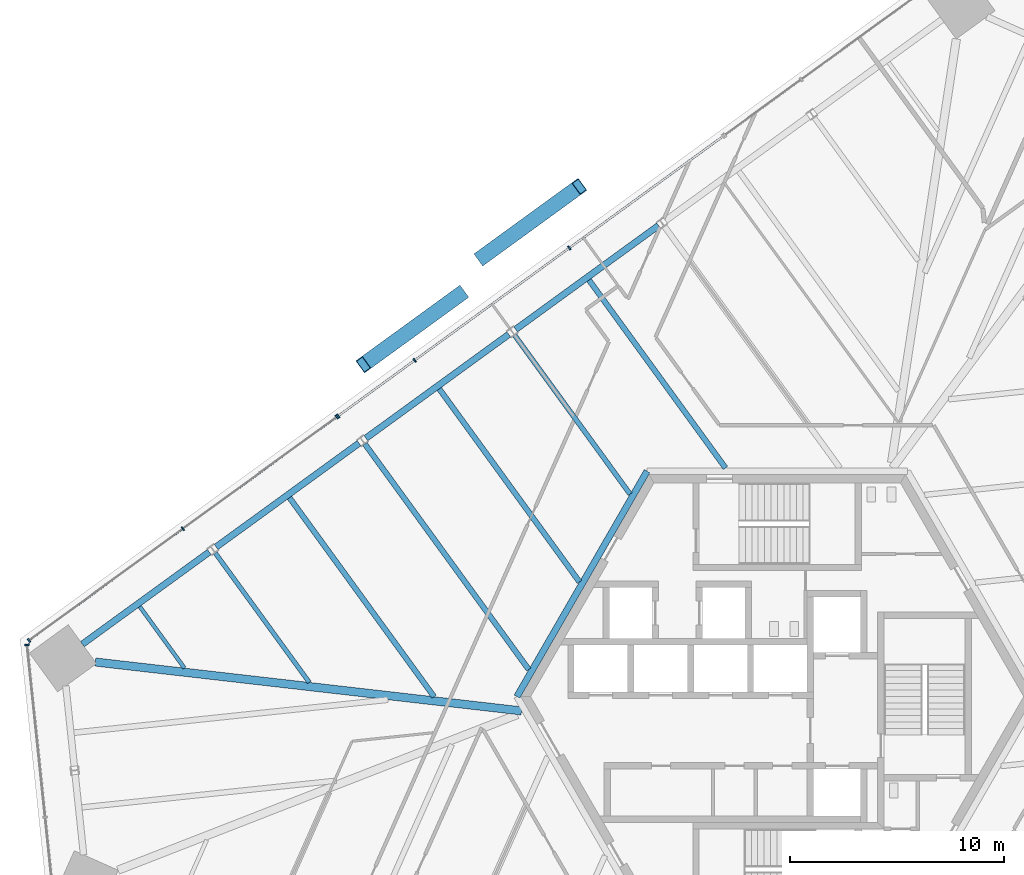
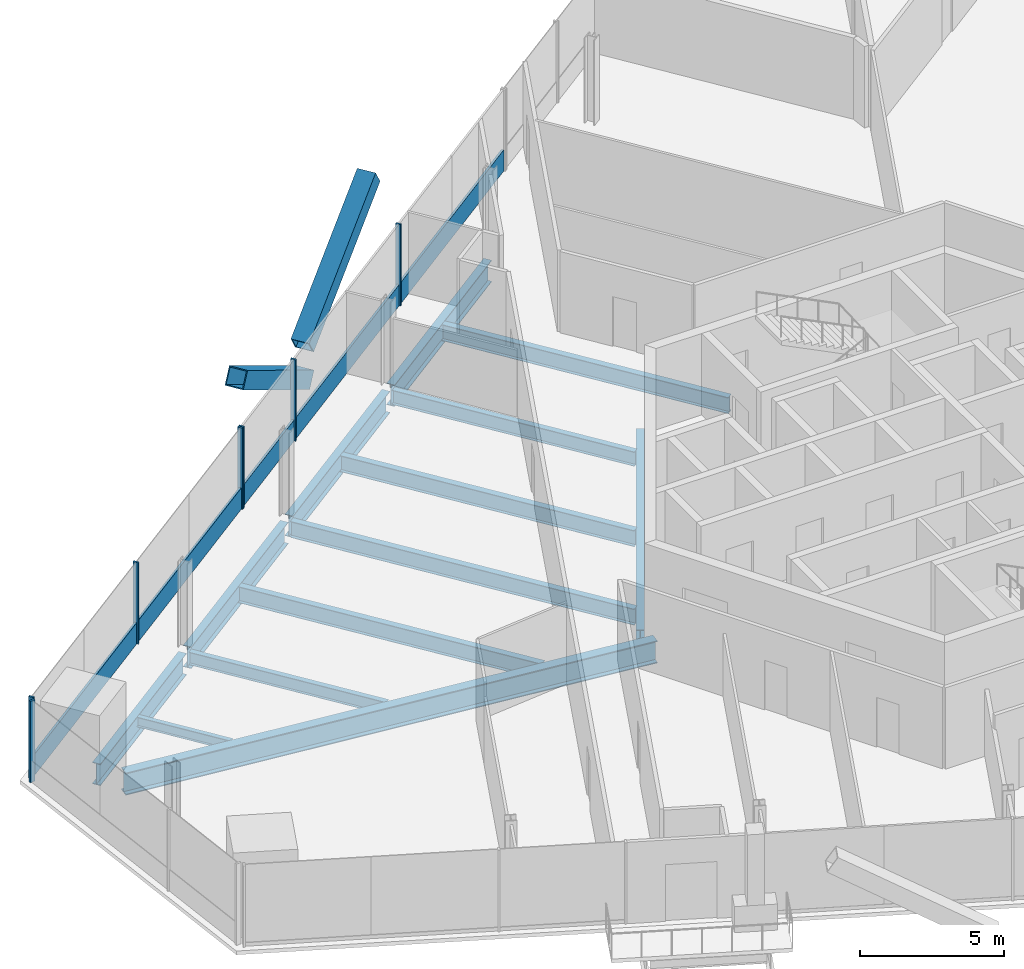
# One storey, part 7 of 19: 14 members, 13 beams, 3 elements without a shape of their own.
"""IFC4 building model written with IfcOpenShell, lengths in metres."""

from ifc_helpers import new_model, si_unit, direction, frame, origin, origin_2d, place, context, subcontext, project, spatial, rectangle, hollow_rectangle, i_section, extrude, source, transform, mapped, material, material_profile, profile_set, type_object, element, aggregate, save


model = new_model("IFC4")

# Units and contexts
model_context = context("Model", 3, precision=1e-05, world=origin(), true_north=direction((0.0, 1.0)))
body_context = subcontext(model_context, "Body", "Model", "MODEL_VIEW")
ifc_project = project(units=[si_unit("LENGTHUNIT", "METRE"), si_unit("AREAUNIT", "SQUARE_METRE"), si_unit("VOLUMEUNIT", "CUBIC_METRE"), si_unit("PLANEANGLEUNIT", "RADIAN"), si_unit("MASSUNIT", "GRAM", prefix="KILO")], contexts=[model_context])

# Site, building, storey
site_placement = place(None, origin())
site = spatial("IfcSite", under=ifc_project, at=site_placement, CompositionType="ELEMENT")
building_placement = place(site_placement, origin())
building = spatial("IfcBuilding", under=site, at=building_placement, Name="Triune Harvest Tower", CompositionType="ELEMENT")
storey_placement = place(building_placement, frame((0.0, 0.0, 76.5)))
storey = spatial("IfcBuildingStorey", under=building, at=storey_placement, Name="L18", CompositionType="ELEMENT", Elevation=76.5)

# Beams
ifc_material_1 = material(Name="Steel ASTM A992 Gr 50", Category="steel")
ifc_material_profile_1 = material_profile(ifc_material_1, i_section(OverallWidth=0.3046875, OverallDepth=0.914306640625, WebThickness=0.0166015625, FlangeThickness=0.02587890625, at=origin_2d()), Name="W36x160")
ifc_profile_set_1 = profile_set([ifc_material_profile_1], Name="Steel ASTM A992 Gr 50")
beam_type_1 = type_object("IfcBeamType", Name="CG-1 Core ring girder W36x160", PredefinedType="BEAM", material=ifc_profile_set_1)
shared_shape_1 = source(origin(), body_context, "Body", "SweptSolid", [
    extrude(i_section(OverallWidth=0.3046875, OverallDepth=0.914306640625, WebThickness=0.0166015625, FlangeThickness=0.02587890625, at=origin_2d()), origin(), (0.0, 0.0, 1.0), 12.176025390625),
])
beam_1_placement = place(storey_placement, frame((-6.087890625, 10.544677734375, -0.6171875), z_axis=(-0.5000099932, -0.866019634131, 0.0), x_axis=(0.866019634131, -0.5000099932, 0.0)))
element("IfcBeam", 1, at=beam_1_placement, inside=storey, type_object=beam_type_1, Name="beam/L18/CG3", PredefinedType="BEAM", context=body_context, shape_type="MappedRepresentation", body=[
    mapped(shared_shape_1, transform((0.0, 0.0, 0.0), scale=1.0)),
])
ifc_material_2 = material(Name="Steel ASTM A992 Gr 50", Category="steel")
ifc_material_profile_2 = material_profile(ifc_material_2, i_section(OverallWidth=0.3046875, OverallDepth=0.914306640625, WebThickness=0.0166015625, FlangeThickness=0.02587890625, at=origin_2d()), Name="W36x160")
ifc_profile_set_2 = profile_set([ifc_material_profile_2], Name="Steel ASTM A992 Gr 50")
beam_type_2 = type_object("IfcBeamType", Name="SB-1 Spandrel beam W36x160", PredefinedType="SPANDREL", material=ifc_profile_set_2)
shared_shape_2 = source(origin(), body_context, "Body", "SweptSolid", [
    extrude(i_section(OverallWidth=0.3046875, OverallDepth=0.914306640625, WebThickness=0.0166015625, FlangeThickness=0.02587890625, at=origin_2d()), origin(), (0.0, 0.0, 1.0), 7.337890625),
])
beam_2_placement = place(storey_placement, frame((-26.574951171875, 6.763916015625, -0.6171875), z_axis=(-0.80902661548, -0.58777200975, 0.0), x_axis=(0.58777200975, -0.80902661548, 0.0)))
element("IfcBeam", 2, at=beam_2_placement, inside=storey, type_object=beam_type_2, Name="beam/L18/SB14", PredefinedType="SPANDREL", context=body_context, shape_type="MappedRepresentation", body=[
    mapped(shared_shape_2, transform((0.0, 0.0, 0.0), scale=1.0)),
])
shared_shape_3 = source(origin(), body_context, "Body", "SweptSolid", [
    extrude(i_section(OverallWidth=0.3046875, OverallDepth=0.914306640625, WebThickness=0.0166015625, FlangeThickness=0.02587890625, at=origin_2d()), origin(), (0.0, 0.0, 1.0), 8.263427734375),
])
for number, where, z_axis, x_axis, name in (
    (3, (-5.55126953125, 22.03857421875, -0.6171875), (-0.809015786763, -0.587786914424, 0.0), (0.587786914424, -0.809015786763, 0.0), "beam/L18/SB11"),
    (4, (-12.55908203125, 16.947021484375, -0.6171875), (-0.809015786763, -0.587786914424, 0.0), (0.587786914424, -0.809015786763, 0.0), "beam/L18/SB12"),
    (5, (-19.56689453125, 11.85546875, -0.6171875), (-0.809015786763, -0.587786914424, 0.0), (0.587786914424, -0.809015786763, 0.0), "beam/L18/SB13"),
):
    element("IfcBeam", number, at=place(storey_placement, frame(where, z_axis=z_axis, x_axis=x_axis)), inside=storey, type_object=beam_type_2, Name=name, PredefinedType="SPANDREL", context=body_context, shape_type="MappedRepresentation", body=[
        mapped(shared_shape_3, transform((0.0, 0.0, 0.0), scale=1.0)),
    ])
ifc_material_3 = material(Name="Steel ASTM A992 Gr 50", Category="steel")
ifc_material_profile_3 = material_profile(ifc_material_3, i_section(OverallWidth=0.383544921875, OverallDepth=0.9423828125, WebThickness=0.022216796875, FlangeThickness=0.039794921875, at=origin_2d()), Name="W36x232")
ifc_profile_set_3 = profile_set([ifc_material_profile_3], Name="Steel ASTM A992 Gr 50")
beam_type_3 = type_object("IfcBeamType", Name="HG-1 Hip girder W36x232", PredefinedType="BEAM", material=ifc_profile_set_3)
shared_shape_4 = source(origin(), body_context, "Body", "SweptSolid", [
    extrude(i_section(OverallWidth=0.383544921875, OverallDepth=0.9423828125, WebThickness=0.022216796875, FlangeThickness=0.039794921875, at=origin_2d()), origin(), (0.0, 0.0, 1.0), 20.070556640625),
])
beam_3_placement = place(storey_placement, frame((-31.904541015625, 1.61572265625, -0.631103515625), z_axis=(0.993487545287, -0.113940762503, 0.0), x_axis=(0.113940762503, 0.993487545287, 0.0)))
element("IfcBeam", 6, at=beam_3_placement, inside=storey, type_object=beam_type_3, Name="beam/L18/HG5", PredefinedType="BEAM", context=body_context, shape_type="MappedRepresentation", body=[
    mapped(shared_shape_4, transform((0.0, 0.0, 0.0), scale=1.0)),
])
ifc_material_4 = material(Name="Steel ASTM A992 Gr 50", Category="steel")
ifc_material_profile_4 = material_profile(ifc_material_4, i_section(OverallWidth=0.22900390625, OverallDepth=0.612060546875, WebThickness=0.011962890625, FlangeThickness=0.01953125, at=origin_2d()), Name="W24x84")
ifc_profile_set_4 = profile_set([ifc_material_profile_4], Name="Steel ASTM A992 Gr 50")
beam_type_4 = type_object("IfcBeamType", Name="JT-3 Floor joist W24x84", PredefinedType="JOIST", material=ifc_profile_set_4)
shared_shape_5 = source(origin(), body_context, "Body", "SweptSolid", [
    extrude(i_section(OverallWidth=0.22900390625, OverallDepth=0.612060546875, WebThickness=0.011962890625, FlangeThickness=0.01953125, at=origin_2d()), origin(), (0.0, 0.0, 1.0), 9.186279296875),
])
beam_4_placement = place(storey_placement, frame((-12.2822265625, 16.905029296875, -0.466064453125), z_axis=(0.58779079947, -0.809012964085, 0.0), x_axis=(0.809012964085, 0.58779079947, 0.0)))
element("IfcBeam", 7, at=beam_4_placement, inside=storey, type_object=beam_type_4, Name="beam/L18/JT19", PredefinedType="JOIST", context=body_context, shape_type="MappedRepresentation", body=[
    mapped(shared_shape_5, transform((0.0, 0.0, 0.0), scale=1.0)),
])
ifc_material_5 = material(Name="Steel ASTM A992 Gr 50", Category="steel")
ifc_material_profile_5 = material_profile(ifc_material_5, i_section(OverallWidth=0.253662109375, OverallDepth=0.683349609375, WebThickness=0.012451171875, FlangeThickness=0.01904296875, at=origin_2d()), Name="W27x94")
ifc_profile_set_5 = profile_set([ifc_material_profile_5], Name="Steel ASTM A992 Gr 50")
beam_type_5 = type_object("IfcBeamType", Name="JT-4 Floor joist W27x94", PredefinedType="JOIST", material=ifc_profile_set_5)
shared_shape_6 = source(origin(), body_context, "Body", "SweptSolid", [
    extrude(i_section(OverallWidth=0.253662109375, OverallDepth=0.683349609375, WebThickness=0.012451171875, FlangeThickness=0.01904296875, at=origin_2d()), origin(), (0.0, 0.0, 1.0), 11.158935546875),
])
beam_5_placement = place(storey_placement, frame((-15.812255859375, 14.395263671875, -0.501708984375), z_axis=(0.58778396925, -0.809017926558, 0.0), x_axis=(0.809017926558, 0.58778396925, 0.0)))
element("IfcBeam", 8, at=beam_5_placement, inside=storey, type_object=beam_type_5, Name="beam/L18/JT20", PredefinedType="JOIST", context=body_context, shape_type="MappedRepresentation", body=[
    mapped(shared_shape_6, transform((0.0, 0.0, 0.0), scale=1.0)),
])
shared_shape_7 = source(origin(), body_context, "Body", "SweptSolid", [
    extrude(i_section(OverallWidth=0.253662109375, OverallDepth=0.683349609375, WebThickness=0.012451171875, FlangeThickness=0.01904296875, at=origin_2d()), origin(), (0.0, 0.0, 1.0), 10.86474609375),
])
beam_6_placement = place(storey_placement, frame((-8.804443359375, 19.48681640625, -0.501708984375), z_axis=(0.587789508047, -0.809013902371, 0.0), x_axis=(0.809013902371, 0.587789508047, 0.0)))
element("IfcBeam", 9, at=beam_6_placement, inside=storey, type_object=beam_type_5, Name="beam/L18/JT18", PredefinedType="JOIST", context=body_context, shape_type="MappedRepresentation", body=[
    mapped(shared_shape_7, transform((0.0, 0.0, 0.0), scale=1.0)),
])
shared_shape_8 = source(origin(), body_context, "Body", "SweptSolid", [
    extrude(i_section(OverallWidth=0.253662109375, OverallDepth=0.683349609375, WebThickness=0.012451171875, FlangeThickness=0.01904296875, at=origin_2d()), origin(), (0.0, 0.0, 1.0), 13.042724609375),
])
beam_7_placement = place(storey_placement, frame((-19.2900390625, 11.8134765625, -0.501708984375), z_axis=(0.587795444635, -0.809009589107, 0.0), x_axis=(0.809009589107, 0.587795444635, 0.0)))
element("IfcBeam", 10, at=beam_7_placement, inside=storey, type_object=beam_type_5, Name="beam/L18/JT21", PredefinedType="JOIST", context=body_context, shape_type="MappedRepresentation", body=[
    mapped(shared_shape_8, transform((0.0, 0.0, 0.0), scale=1.0)),
])
shared_shape_9 = source(origin(), body_context, "Body", "SweptSolid", [
    extrude(i_section(OverallWidth=0.253662109375, OverallDepth=0.683349609375, WebThickness=0.012451171875, FlangeThickness=0.01904296875, at=origin_2d()), origin(), (0.0, 0.0, 1.0), 11.511474609375),
])
beam_8_placement = place(storey_placement, frame((-22.820068359375, 9.3037109375, -0.501708984375), z_axis=(0.587775656534, -0.809023966015, 0.0), x_axis=(0.809023966015, 0.587775656534, 0.0)))
element("IfcBeam", 11, at=beam_8_placement, inside=storey, type_object=beam_type_5, Name="beam/L18/JT22", PredefinedType="JOIST", context=body_context, shape_type="MappedRepresentation", body=[
    mapped(shared_shape_9, transform((0.0, 0.0, 0.0), scale=1.0)),
])
ifc_material_6 = material(Name="Steel ASTM A992 Gr 50", Category="steel")
ifc_material_profile_6 = material_profile(ifc_material_6, i_section(OverallWidth=0.2099609375, OverallDepth=0.535888671875, WebThickness=0.010986328125, FlangeThickness=0.017333984375, at=origin_2d()), Name="W21x68")
ifc_profile_set_6 = profile_set([ifc_material_profile_6], Name="Steel ASTM A992 Gr 50")
beam_type_6 = type_object("IfcBeamType", Name="JT-2 Floor joist W21x68", PredefinedType="JOIST", material=ifc_profile_set_6)
shared_shape_10 = source(origin(), body_context, "Body", "SweptSolid", [
    extrude(i_section(OverallWidth=0.2099609375, OverallDepth=0.535888671875, WebThickness=0.010986328125, FlangeThickness=0.017333984375, at=origin_2d()), origin(), (0.0, 0.0, 1.0), 7.4921875),
])
beam_9_placement = place(storey_placement, frame((-26.2978515625, 6.721923828125, -0.427978515625), z_axis=(0.587787996274, -0.809015000748, 0.0), x_axis=(0.809015000748, 0.587787996274, 0.0)))
element("IfcBeam", 12, at=beam_9_placement, inside=storey, type_object=beam_type_6, Name="beam/L18/JT23", PredefinedType="JOIST", context=body_context, shape_type="MappedRepresentation", body=[
    mapped(shared_shape_10, transform((0.0, 0.0, 0.0), scale=1.0)),
])
ifc_material_7 = material(Name="Steel ASTM A992 Gr 50", Category="steel")
ifc_material_profile_7 = material_profile(ifc_material_7, i_section(OverallWidth=0.180908203125, OverallDepth=0.41650390625, WebThickness=0.010986328125, FlangeThickness=0.01806640625, at=origin_2d()), Name="W16x57")
ifc_profile_set_7 = profile_set([ifc_material_profile_7], Name="Steel ASTM A992 Gr 50")
beam_type_7 = type_object("IfcBeamType", Name="JT-1 Floor joist W16x57", PredefinedType="JOIST", material=ifc_profile_set_7)
shared_shape_11 = source(origin(), body_context, "Body", "SweptSolid", [
    extrude(i_section(OverallWidth=0.180908203125, OverallDepth=0.41650390625, WebThickness=0.010986328125, FlangeThickness=0.01806640625, at=origin_2d()), origin(), (0.0, 0.0, 1.0), 3.561767578125),
])
beam_10_placement = place(storey_placement, frame((-29.827880859375, 4.212158203125, -0.368408203125), z_axis=(0.587768138852, -0.80902942774, 0.0), x_axis=(0.80902942774, 0.587768138852, 0.0)))
element("IfcBeam", 13, at=beam_10_placement, inside=storey, type_object=beam_type_7, Name="beam/L18/JT24", PredefinedType="JOIST", context=body_context, shape_type="MappedRepresentation", body=[
    mapped(shared_shape_11, transform((0.0, 0.0, 0.0), scale=1.0)),
])

# Members
ifc_material_8 = material(Name="Steel ASTM A572 Gr 50", Category="steel")
ifc_material_profile_8 = material_profile(ifc_material_8, hollow_rectangle(XDim=0.699951171875, YDim=0.699951171875, WallThickness=0.0400390625, at=origin_2d()), Name="Box 700x700x40")
ifc_profile_set_8 = profile_set([ifc_material_profile_8], Name="Steel ASTM A572 Gr 50")
member_type_1 = type_object("IfcMemberType", Name="BR-1 Brace Box 700x700x40", PredefinedType="BRACE", material=ifc_profile_set_8)
shared_shape_12 = source(origin(), body_context, "Body", "SweptSolid", [
    extrude(hollow_rectangle(XDim=0.699951171875, YDim=0.699951171875, WallThickness=0.0400390625, at=origin_2d()), origin(), (0.0, 0.0, 1.0), 6.702392578125),
])
for number, where, z_axis, x_axis, name in (
    (14, (-14.7900390625, 18.855712890625, 0.0), (-0.682402930681, -0.495793012144, 0.537136415919), (0.587783903514, -0.809017974318, 0.0), "brace/B2-F3/d1/6"),
    (15, (-13.83251953125, 20.5400390625, 0.0), (0.682402930681, 0.495793012144, 0.537136415919), (-0.587783903514, 0.809017974318, 0.0), "brace/B2-F3/d2/6"),
):
    element("IfcMember", number, at=place(storey_placement, frame(where, z_axis=z_axis, x_axis=x_axis)), inside=storey, type_object=member_type_1, Name=name, PredefinedType="BRACE", context=body_context, shape_type="MappedRepresentation", body=[
        mapped(shared_shape_12, transform((0.0, 0.0, 0.0), scale=1.0)),
    ])

# Curtain wall, members
ifc_material_9 = material(Name="Aluminium bronze anodised", Category="aluminium")
curtain_wall_type_1 = type_object("IfcCurtainWallType", Name="CW-7 Tower stick curtain wall with insulated spandrel infill", PredefinedType="NOTDEFINED", material=ifc_material_9)
curtain_wall_1_placement = place(storey_placement, origin())
curtain_wall_1 = element("IfcCurtainWall", 16, at=curtain_wall_1_placement, inside=storey, type_object=curtain_wall_type_1, Name="CW-7 B2-F3 L18 run 1001")
ifc_material_10 = material(Name="Aluminium bronze anodised", Category="aluminium")
ifc_material_profile_9 = material_profile(ifc_material_10, rectangle(XDim=0.199951171875, YDim=0.074951171875, at=origin_2d()), Name="MU-1 mullion 75 x 200")
ifc_profile_set_9 = profile_set([ifc_material_profile_9], Name="Aluminium bronze anodised")
member_type_2 = type_object("IfcMemberType", Name="MU-1 mullion 75 x 200", PredefinedType="MULLION", material=ifc_profile_set_9)
shared_shape_13 = source(origin(), body_context, "Body", "SweptSolid", [
    extrude(rectangle(XDim=0.199951171875, YDim=0.074951171875, at=origin_2d()), origin(), (0.0, 0.0, 1.0), 3.43994140625),
])
member_1_placement = place(storey_placement, frame((-9.724609375, 20.99072265625, 0.0), z_axis=(0.0, 0.0, 1.0), x_axis=(0.587786723131, -0.809015925746, 0.0)))
member_1 = element("IfcMember", 17, at=member_1_placement, type_object=member_type_2, Name="CW-7 mullion B2-F3 1001.3", PredefinedType="MULLION", context=body_context, shape_type="MappedRepresentation", body=[
    mapped(shared_shape_13, transform((0.0, 0.0, 0.0), scale=1.0)),
])
member_2_placement = place(storey_placement, frame((-16.958251953125, 15.735107421875, 0.0), z_axis=(0.0, 0.0, 1.0), x_axis=(0.587786723131, -0.809015925746, 0.0)))
member_2 = element("IfcMember", 18, at=member_2_placement, type_object=member_type_2, Name="CW-7 mullion B2-F3 1001.5", PredefinedType="MULLION", context=body_context, shape_type="MappedRepresentation", body=[
    mapped(shared_shape_13, transform((0.0, 0.0, 0.0), scale=1.0)),
])
member_3_placement = place(storey_placement, frame((-20.544677734375, 13.12939453125, 0.0), z_axis=(0.0, 0.0, 1.0), x_axis=(0.587786723131, -0.809015925746, 0.0)))
member_3 = element("IfcMember", 19, at=member_3_placement, type_object=member_type_2, Name="CW-7 mullion B2-F3 1001.6", PredefinedType="MULLION", context=body_context, shape_type="MappedRepresentation", body=[
    mapped(shared_shape_13, transform((0.0, 0.0, 0.0), scale=1.0)),
])

ifc_material_11 = material(Name="Aluminium bronze anodised", Category="aluminium")
curtain_wall_type_2 = type_object("IfcCurtainWallType", Name="CW-1 Tower stick curtain wall", PredefinedType="NOTDEFINED", material=ifc_material_11)
curtain_wall_2_placement = place(storey_placement, origin())
curtain_wall_2 = element("IfcCurtainWall", 20, at=curtain_wall_2_placement, inside=storey, type_object=curtain_wall_type_2, Name="CW-1 B2-F3 L18 run 2001")
member_4_placement = place(storey_placement, frame((-20.605224609375, 13.08544921875, 0.0), z_axis=(0.0, 0.0, 1.0), x_axis=(0.587783213644, -0.809018475536, 0.0)))
member_4 = element("IfcMember", 21, at=member_4_placement, type_object=member_type_2, Name="CW-1 mullion B2-F3 2001.1", PredefinedType="MULLION", context=body_context, shape_type="MappedRepresentation", body=[
    mapped(shared_shape_13, transform((0.0, 0.0, 0.0), scale=1.0)),
])
member_5_placement = place(storey_placement, frame((-27.808349609375, 7.85205078125, 0.0), z_axis=(0.0, 0.0, 1.0), x_axis=(0.587783213644, -0.809018475536, 0.0)))
member_5 = element("IfcMember", 22, at=member_5_placement, type_object=member_type_2, Name="CW-1 mullion B2-F3 2001.3", PredefinedType="MULLION", context=body_context, shape_type="MappedRepresentation", body=[
    mapped(shared_shape_13, transform((0.0, 0.0, 0.0), scale=1.0)),
])
member_6_placement = place(storey_placement, frame((-35.01171875, 2.61865234375, 0.0), z_axis=(0.0, 0.0, 1.0), x_axis=(0.587783213644, -0.809018475536, 0.0)))
member_6 = element("IfcMember", 23, at=member_6_placement, type_object=member_type_2, Name="CW-1 mullion B2-F3 2001.5", PredefinedType="MULLION", context=body_context, shape_type="MappedRepresentation", body=[
    mapped(shared_shape_13, transform((0.0, 0.0, 0.0), scale=1.0)),
])

# Curtain wall, member
curtain_wall_3_placement = place(storey_placement, origin())
curtain_wall_3 = element("IfcCurtainWall", 24, at=curtain_wall_3_placement, inside=storey, type_object=curtain_wall_type_2, Name="CW-1 B2-F4 L18 run 1")
member_7_placement = place(storey_placement, frame((-35.1015625, 2.416748046875, 0.0), z_axis=(0.0, 0.0, 1.0), x_axis=(0.994521790334, 0.104529462601, 0.0)))
member_7 = element("IfcMember", 25, at=member_7_placement, type_object=member_type_2, Name="CW-1 mullion B2-F4 1.1", PredefinedType="MULLION", context=body_context, shape_type="MappedRepresentation", body=[
    mapped(shared_shape_13, transform((0.0, 0.0, 0.0), scale=1.0)),
])
aggregate(curtain_wall_3, [member_7])

# Member
ifc_material_12 = material(Name="Aluminium bronze anodised", Category="aluminium")
ifc_material_profile_10 = material_profile(ifc_material_12, rectangle(XDim=0.090087890625, YDim=0.89990234375, at=origin_2d()), Name="TR-1 transom 90 x 900")
ifc_profile_set_10 = profile_set([ifc_material_profile_10], Name="Aluminium bronze anodised")
member_type_3 = type_object("IfcMemberType", Name="TR-1 transom 90 x 900", PredefinedType="USERDEFINED", material=ifc_profile_set_10)
shared_shape_14 = source(origin(), body_context, "Body", "SweptSolid", [
    extrude(rectangle(XDim=0.090087890625, YDim=0.89990234375, at=origin_2d()), origin(), (0.0, 0.0, 1.0), 8.82861328125),
])
member_8_placement = place(storey_placement, frame((-2.5517578125, 26.201904296875, 0.449951171875), z_axis=(-0.809026570054, -0.587772072276, 0.0), x_axis=(0.587772072276, -0.809026570054, 0.0)))
member_8 = element("IfcMember", 26, at=member_8_placement, type_object=member_type_3, Name="CW-7 transom B2-F3 1001.1", ObjectType="TRANSOM", PredefinedType="USERDEFINED", context=body_context, shape_type="MappedRepresentation", body=[
    mapped(shared_shape_14, transform((0.0, 0.0, 0.0), scale=1.0)),
])

member_9_placement = place(storey_placement, frame((-20.635498046875, 13.063232421875, 0.449951171875), z_axis=(-0.809026570054, -0.587772072276, 0.0), x_axis=(0.587772072276, -0.809026570054, 0.0)))
member_9 = element("IfcMember", 27, at=member_9_placement, type_object=member_type_3, Name="CW-1 transom B2-F3 2001.1", ObjectType="TRANSOM", PredefinedType="USERDEFINED", context=body_context, shape_type="MappedRepresentation", body=[
    mapped(shared_shape_14, transform((0.0, 0.0, 0.0), scale=1.0)),
])

shared_shape_15 = source(origin(), body_context, "Body", "SweptSolid", [
    extrude(rectangle(XDim=0.090087890625, YDim=0.89990234375, at=origin_2d()), origin(), (0.0, 0.0, 1.0), 8.828369140625),
])
member_10_placement = place(storey_placement, frame((-27.8388671875, 7.829833984375, 0.449951171875), z_axis=(-0.809017016162, -0.587785222305, 0.0), x_axis=(0.587785222305, -0.809017016162, 0.0)))
member_10 = element("IfcMember", 28, at=member_10_placement, type_object=member_type_3, Name="CW-1 transom B2-F3 2001.2", ObjectType="TRANSOM", PredefinedType="USERDEFINED", context=body_context, shape_type="MappedRepresentation", body=[
    mapped(shared_shape_15, transform((0.0, 0.0, 0.0), scale=1.0)),
])

aggregate(curtain_wall_2, [member_4, member_5, member_6, member_9, member_10])

shared_shape_16 = source(origin(), body_context, "Body", "SweptSolid", [
    extrude(rectangle(XDim=0.090087890625, YDim=0.89990234375, at=origin_2d()), origin(), (0.0, 0.0, 1.0), 8.8662109375),
])
member_11_placement = place(storey_placement, frame((-9.7548828125, 20.968505859375, 0.449951171875), z_axis=(-0.809014630499, -0.587788505875, 0.0), x_axis=(0.587788505875, -0.809014630499, 0.0)))
member_11 = element("IfcMember", 29, at=member_11_placement, type_object=member_type_3, Name="CW-7 transom B2-F3 1001.2", ObjectType="TRANSOM", PredefinedType="USERDEFINED", context=body_context, shape_type="MappedRepresentation", body=[
    mapped(shared_shape_16, transform((0.0, 0.0, 0.0), scale=1.0)),
])

shared_shape_17 = source(origin(), body_context, "Body", "SweptSolid", [
    extrude(rectangle(XDim=0.090087890625, YDim=0.89990234375, at=origin_2d()), origin(), (0.0, 0.0, 1.0), 4.358154296875),
])
member_12_placement = place(storey_placement, frame((-16.988525390625, 15.713134765625, 0.449951171875), z_axis=(-0.808990371503, -0.587821893787, 0.0), x_axis=(0.587821893787, -0.808990371503, 0.0)))
member_12 = element("IfcMember", 30, at=member_12_placement, type_object=member_type_3, Name="CW-7 transom B2-F3 1001.3", ObjectType="TRANSOM", PredefinedType="USERDEFINED", context=body_context, shape_type="MappedRepresentation", body=[
    mapped(shared_shape_17, transform((0.0, 0.0, 0.0), scale=1.0)),
])

aggregate(curtain_wall_1, [member_1, member_2, member_3, member_8, member_11, member_12])

save(model, "model.ifc")
